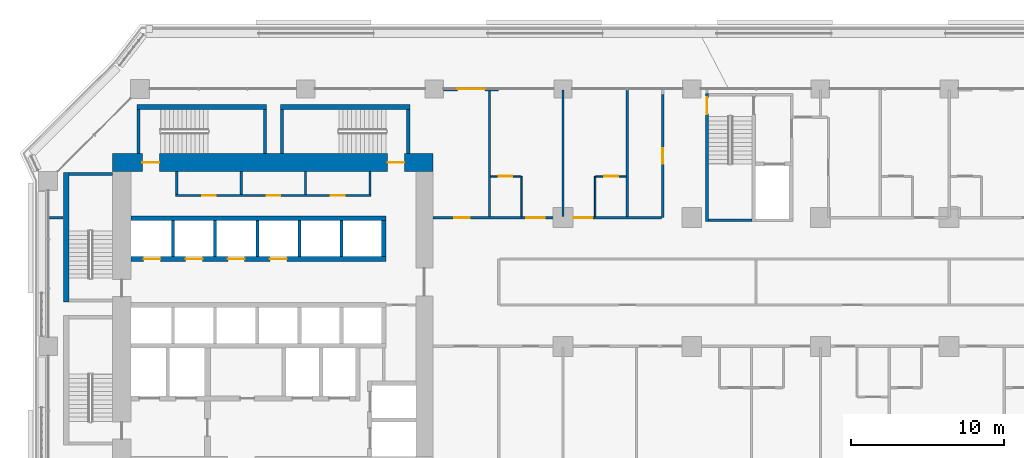
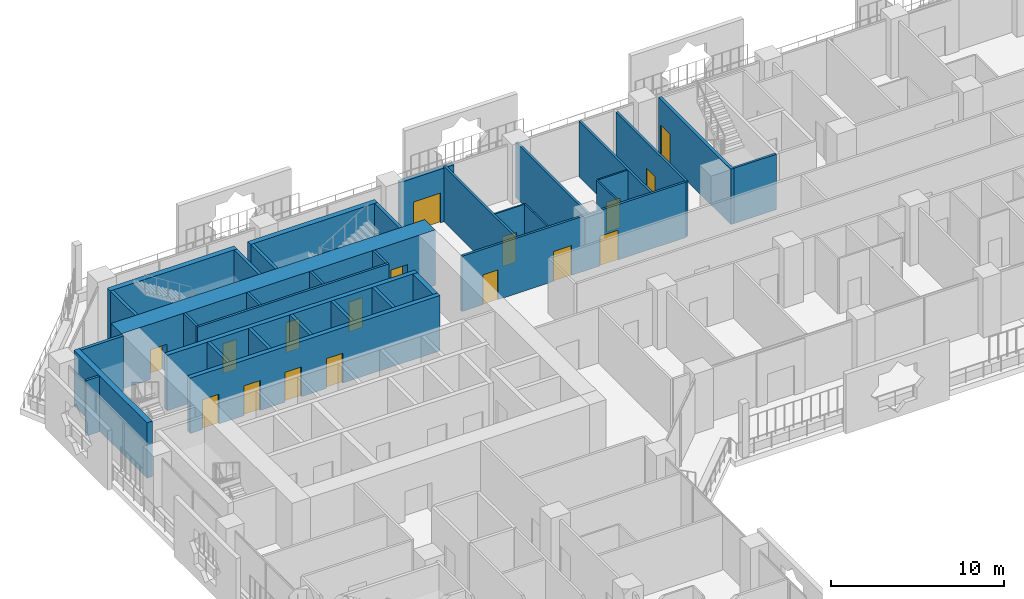
# One storey, part 18 of 28: 35 walls, 17 doors, 17 openings.
"""IFC4 building model written with IfcOpenShell, lengths in metres."""

from ifc_helpers import new_model, si_unit, direction, frame, frame_2d, origin, place, context, subcontext, project, spatial, rectangle, extrude, material, layer, layer_set, type_object, element, fill, save


model = new_model("IFC4")

# Units and contexts
model_context = context("Model", 3, precision=1e-05, world=origin(), true_north=direction((0.0, 1.0)))
body_context = subcontext(model_context, "Body", "Model", "MODEL_VIEW")
ifc_project = project(units=[si_unit("LENGTHUNIT", "METRE"), si_unit("AREAUNIT", "SQUARE_METRE"), si_unit("VOLUMEUNIT", "CUBIC_METRE"), si_unit("PLANEANGLEUNIT", "RADIAN"), si_unit("MASSUNIT", "GRAM", prefix="KILO")], contexts=[model_context])

# Site, building, storey
site_placement = place(None, origin())
site = spatial("IfcSite", under=ifc_project, at=site_placement, CompositionType="ELEMENT")
building_placement = place(site_placement, origin())
building = spatial("IfcBuilding", under=site, at=building_placement, Name="Kawkab Arch Medical Tower", CompositionType="ELEMENT")
storey_placement = place(building_placement, frame((0.0, 0.0, 81.199951171875)))
storey = spatial("IfcBuildingStorey", under=building, at=storey_placement, Name="L18", CompositionType="ELEMENT", Elevation=81.199951171875)

# Wall, openings, doors
ifc_material_1 = material(Name="Concrete C60/75", Category="concrete")
ifc_layer_1 = layer(ifc_material_1, 1.199951171875)
ifc_layer_set_1 = layer_set([ifc_layer_1], Name="Concrete C60/75")
wall_type_1 = type_object("IfcWallType", Name="Core ring wall 1200 C60/75", PredefinedType="SHEAR", material=ifc_layer_set_1)
wall_1_placement = place(storey_placement, frame((4.199951171875, -4.800048828125, 0.0), z_axis=(0.0, 0.0, 1.0), x_axis=(1.0, 0.0, 0.0)))
wall_1 = element("IfcWall", 1, at=wall_1_placement, inside=storey, type_object=wall_type_1, Name="L18 core wall", PredefinedType="SHEAR", context=body_context, shape_type="SweptSolid", body=[
    extrude(rectangle(XDim=20.900146484375, YDim=1.199951171875, at=frame_2d((10.4501953125, 0.0))), origin(), (0.0, 0.0, 1.0), 3.900146484375),
])
opening_1_placement = place(wall_1_placement, frame((1.949951171875, 0.0, 0.0)))
opening_1 = element("IfcOpeningElement", 2, at=opening_1_placement, cuts=wall_1, Name="Opening SD", PredefinedType="OPENING", context=body_context, shape_type="SweptSolid", body=[
    extrude(rectangle(XDim=1.10009765625, YDim=2.10009765625, at=frame_2d((0.550048828125, 1.050048828125))), frame((0.0, 0.60986328125, 0.0), z_axis=(0.0, -1.0, 0.0), x_axis=(1.0, 0.0, 0.0)), (0.0, 0.0, 1.0), 1.219970703125),
])
opening_2_placement = place(wall_1_placement, frame((17.949951171875, 0.0, 0.0)))
opening_2 = element("IfcOpeningElement", 3, at=opening_2_placement, cuts=wall_1, Name="Opening SD", PredefinedType="OPENING", context=body_context, shape_type="SweptSolid", body=[
    extrude(rectangle(XDim=1.10009765625, YDim=2.10009765625, at=frame_2d((0.550048828125, 1.050048828125))), frame((0.0, 0.60986328125, 0.0), z_axis=(0.0, -1.0, 0.0), x_axis=(1.0, 0.0, 0.0)), (0.0, 0.0, 1.0), 1.219970703125),
])
ifc_material_2 = material(Name="Hollow metal fire door leaf")
door_type_1 = type_object("IfcDoorType", Name="Exit stair door 1100", OperationType="SINGLE_SWING_LEFT", PredefinedType="DOOR", material=ifc_material_2)
door_1_placement = place(opening_1_placement, origin())
door_1 = element("IfcDoor", 4, at=door_1_placement, inside=storey, type_object=door_type_1, Name="L18 Exit stair ST3 door", OperationType="SINGLE_SWING_LEFT", OverallHeight=2.10009765625, OverallWidth=1.10009765625, PredefinedType="DOOR", context=body_context, shape_type="SweptSolid", body=[
    extrude(rectangle(XDim=1.10009765625, YDim=2.10009765625, at=frame_2d((0.550048828125, 1.050048828125))), frame((0.0, 0.02490234375, 0.0), z_axis=(0.0, -1.0, 0.0), x_axis=(1.0, 0.0, 0.0)), (0.0, 0.0, 1.0), 0.050048828125),
])
fill(opening_1, door_1)
door_2_placement = place(opening_2_placement, origin())
door_2 = element("IfcDoor", 5, at=door_2_placement, inside=storey, type_object=door_type_1, Name="L18 Exit stair ST4 door", OperationType="SINGLE_SWING_LEFT", OverallHeight=2.10009765625, OverallWidth=1.10009765625, PredefinedType="DOOR", context=body_context, shape_type="SweptSolid", body=[
    extrude(rectangle(XDim=1.10009765625, YDim=2.10009765625, at=frame_2d((0.550048828125, 1.050048828125))), frame((0.0, 0.02490234375, 0.0), z_axis=(0.0, -1.0, 0.0), x_axis=(1.0, 0.0, 0.0)), (0.0, 0.0, 1.0), 0.050048828125),
])
fill(opening_2, door_2)

ifc_material_3 = material(Name="Gypsum board on steel studs", Category="steel")
ifc_layer_2 = layer(ifc_material_3, 0.14990234375)
ifc_layer_set_2 = layer_set([ifc_layer_2], Name="Gypsum board on steel studs")
wall_type_2 = type_object("IfcWallType", Name="Core room partition 150", PredefinedType="PARTITIONING", material=ifc_layer_set_2)
wall_2_placement = place(storey_placement, frame((8.324951171875, -6.949951171875, 0.0), z_axis=(0.0, 0.0, 1.0), x_axis=(1.0, 0.0, 0.0)))
wall_2 = element("IfcWall", 6, at=wall_2_placement, inside=storey, type_object=wall_type_2, Name="L18 core room partition", PredefinedType="PARTITIONING", context=body_context, shape_type="SweptSolid", body=[
    extrude(rectangle(XDim=12.75, YDim=0.14990234375, at=frame_2d((6.375, 0.0))), origin(), (0.0, 0.0, 1.0), 3.900146484375),
])
opening_3_placement = place(wall_2_placement, frame((1.72509765625, 0.0, 0.0)))
opening_3 = element("IfcOpeningElement", 7, at=opening_3_placement, cuts=wall_2, Name="Opening RD", PredefinedType="OPENING", context=body_context, shape_type="SweptSolid", body=[
    extrude(rectangle(XDim=0.89990234375, YDim=2.10009765625, at=frame_2d((0.449951171875, 1.050048828125))), frame((0.0, 0.0849609375, 0.0), z_axis=(0.0, -1.0, 0.0), x_axis=(1.0, 0.0, 0.0)), (0.0, 0.0, 1.0), 0.169921875),
])
opening_4_placement = place(wall_2_placement, frame((5.925048828125, 0.0, 0.0)))
opening_4 = element("IfcOpeningElement", 8, at=opening_4_placement, cuts=wall_2, Name="Opening RD", PredefinedType="OPENING", context=body_context, shape_type="SweptSolid", body=[
    extrude(rectangle(XDim=0.89990234375, YDim=2.10009765625, at=frame_2d((0.449951171875, 1.050048828125))), frame((0.0, 0.0849609375, 0.0), z_axis=(0.0, -1.0, 0.0), x_axis=(1.0, 0.0, 0.0)), (0.0, 0.0, 1.0), 0.169921875),
])
opening_5_placement = place(wall_2_placement, frame((10.125, 0.0, 0.0)))
opening_5 = element("IfcOpeningElement", 9, at=opening_5_placement, cuts=wall_2, Name="Opening RD", PredefinedType="OPENING", context=body_context, shape_type="SweptSolid", body=[
    extrude(rectangle(XDim=0.89990234375, YDim=2.10009765625, at=frame_2d((0.449951171875, 1.050048828125))), frame((0.0, 0.0849609375, 0.0), z_axis=(0.0, -1.0, 0.0), x_axis=(1.0, 0.0, 0.0)), (0.0, 0.0, 1.0), 0.169921875),
])
ifc_material_4 = material(Name="Hollow metal fire door leaf")
door_type_2 = type_object("IfcDoorType", Name="Core room door 900", OperationType="SINGLE_SWING_LEFT", PredefinedType="DOOR", material=ifc_material_4)
door_3_placement = place(opening_3_placement, origin())
door_3 = element("IfcDoor", 10, at=door_3_placement, inside=storey, type_object=door_type_2, Name="L18 Sprinkler valve room door", OperationType="SINGLE_SWING_LEFT", OverallHeight=2.10009765625, OverallWidth=0.89990234375, PredefinedType="DOOR", context=body_context, shape_type="SweptSolid", body=[
    extrude(rectangle(XDim=0.89990234375, YDim=2.10009765625, at=frame_2d((0.449951171875, 1.050048828125))), frame((0.0, 0.02490234375, 0.0), z_axis=(0.0, -1.0, 0.0), x_axis=(1.0, 0.0, 0.0)), (0.0, 0.0, 1.0), 0.050048828125),
])
fill(opening_3, door_3)
door_4_placement = place(opening_4_placement, origin())
door_4 = element("IfcDoor", 11, at=door_4_placement, inside=storey, type_object=door_type_2, Name="L18 Data room door", OperationType="SINGLE_SWING_LEFT", OverallHeight=2.10009765625, OverallWidth=0.89990234375, PredefinedType="DOOR", context=body_context, shape_type="SweptSolid", body=[
    extrude(rectangle(XDim=0.89990234375, YDim=2.10009765625, at=frame_2d((0.449951171875, 1.050048828125))), frame((0.0, 0.02490234375, 0.0), z_axis=(0.0, -1.0, 0.0), x_axis=(1.0, 0.0, 0.0)), (0.0, 0.0, 1.0), 0.050048828125),
])
fill(opening_4, door_4)
door_5_placement = place(opening_5_placement, origin())
door_5 = element("IfcDoor", 12, at=door_5_placement, inside=storey, type_object=door_type_2, Name="L18 Electrical riser room door", OperationType="SINGLE_SWING_LEFT", OverallHeight=2.10009765625, OverallWidth=0.89990234375, PredefinedType="DOOR", context=body_context, shape_type="SweptSolid", body=[
    extrude(rectangle(XDim=0.89990234375, YDim=2.10009765625, at=frame_2d((0.449951171875, 1.050048828125))), frame((0.0, 0.02490234375, 0.0), z_axis=(0.0, -1.0, 0.0), x_axis=(1.0, 0.0, 0.0)), (0.0, 0.0, 1.0), 0.050048828125),
])
fill(opening_5, door_5)

# Walls
for number, where, z_axis, x_axis, name in (
    (13, (8.39990234375, -6.875, 0.0), (0.0, 0.0, 1.0), (0.0, 1.0, 0.0), "L18 core room partition"),
    (14, (12.60009765625, -6.875, 0.0), (0.0, 0.0, 1.0), (0.0, 1.0, 0.0), "L18 core room partition"),
    (15, (16.800048828125, -6.875, 0.0), (0.0, 0.0, 1.0), (0.0, 1.0, 0.0), "L18 core room partition"),
    (16, (21.0, -6.875, 0.0), (0.0, 0.0, 1.0), (0.0, 1.0, 0.0), "L18 core room partition"),
):
    element("IfcWall", number, at=place(storey_placement, frame(where, z_axis=z_axis, x_axis=x_axis)), inside=storey, type_object=wall_type_2, Name=name, PredefinedType="PARTITIONING", context=body_context, shape_type="SweptSolid", body=[
        extrude(rectangle(XDim=1.47509765625, YDim=0.14990234375, at=frame_2d((0.737548828125, 0.0))), origin(), (0.0, 0.0, 1.0), 3.900146484375),
    ])
ifc_material_5 = material(Name="Concrete C60/75", Category="concrete")
ifc_layer_3 = layer(ifc_material_5, 0.300048828125)
ifc_layer_set_3 = layer_set([ifc_layer_3], Name="Concrete C60/75")
wall_type_3 = type_object("IfcWallType", Name="Core shear wall 300 C60/75", PredefinedType="SHEAR", material=ifc_layer_set_3)
wall_3_placement = place(storey_placement, frame((5.39990234375, -8.449951171875, 0.0), z_axis=(0.0, 0.0, 1.0), x_axis=(1.0, 0.0, 0.0)))
element("IfcWall", 17, at=wall_3_placement, inside=storey, type_object=wall_type_3, Name="L18 core shear wall", PredefinedType="SHEAR", context=body_context, shape_type="SweptSolid", body=[
    extrude(rectangle(XDim=16.650146484375, YDim=0.300048828125, at=frame_2d((8.3251953125, 0.0))), origin(), (0.0, 0.0, 1.0), 3.900146484375),
])

# Wall, openings, doors
wall_4_placement = place(storey_placement, frame((5.39990234375, -11.10009765625, 0.0), z_axis=(0.0, 0.0, 1.0), x_axis=(1.0, 0.0, 0.0)))
wall_4 = element("IfcWall", 18, at=wall_4_placement, inside=storey, type_object=wall_type_3, Name="L18 core shear wall", PredefinedType="SHEAR", context=body_context, shape_type="SweptSolid", body=[
    extrude(rectangle(XDim=16.650146484375, YDim=0.300048828125, at=frame_2d((8.3251953125, 0.0))), origin(), (0.0, 0.0, 1.0), 3.900146484375),
])
opening_6_placement = place(wall_4_placement, frame((0.824951171875, 0.0, 0.0)))
opening_6 = element("IfcOpeningElement", 19, at=opening_6_placement, cuts=wall_4, Name="Opening LD1", PredefinedType="OPENING", context=body_context, shape_type="SweptSolid", body=[
    extrude(rectangle(XDim=1.10009765625, YDim=2.10009765625, at=frame_2d((0.550048828125, 1.050048828125))), frame((0.0, 0.159912109375, 0.0), z_axis=(0.0, -1.0, 0.0), x_axis=(1.0, 0.0, 0.0)), (0.0, 0.0, 1.0), 0.320068359375),
])
opening_7_placement = place(wall_4_placement, frame((3.574951171875, 0.0, 0.0)))
opening_7 = element("IfcOpeningElement", 20, at=opening_7_placement, cuts=wall_4, Name="Opening LD1", PredefinedType="OPENING", context=body_context, shape_type="SweptSolid", body=[
    extrude(rectangle(XDim=1.10009765625, YDim=2.10009765625, at=frame_2d((0.550048828125, 1.050048828125))), frame((0.0, 0.159912109375, 0.0), z_axis=(0.0, -1.0, 0.0), x_axis=(1.0, 0.0, 0.0)), (0.0, 0.0, 1.0), 0.320068359375),
])
opening_8_placement = place(wall_4_placement, frame((6.324951171875, 0.0, 0.0)))
opening_8 = element("IfcOpeningElement", 21, at=opening_8_placement, cuts=wall_4, Name="Opening LD1", PredefinedType="OPENING", context=body_context, shape_type="SweptSolid", body=[
    extrude(rectangle(XDim=1.10009765625, YDim=2.10009765625, at=frame_2d((0.550048828125, 1.050048828125))), frame((0.0, 0.159912109375, 0.0), z_axis=(0.0, -1.0, 0.0), x_axis=(1.0, 0.0, 0.0)), (0.0, 0.0, 1.0), 0.320068359375),
])
opening_9_placement = place(wall_4_placement, frame((9.074951171875, 0.0, 0.0)))
opening_9 = element("IfcOpeningElement", 22, at=opening_9_placement, cuts=wall_4, Name="Opening LD1", PredefinedType="OPENING", context=body_context, shape_type="SweptSolid", body=[
    extrude(rectangle(XDim=1.10009765625, YDim=2.10009765625, at=frame_2d((0.550048828125, 1.050048828125))), frame((0.0, 0.159912109375, 0.0), z_axis=(0.0, -1.0, 0.0), x_axis=(1.0, 0.0, 0.0)), (0.0, 0.0, 1.0), 0.320068359375),
])
ifc_material_6 = material(Name="Stainless steel lift door leaf", Category="steel")
door_type_3 = type_object("IfcDoorType", Name="Lift landing door 1100", OperationType="DOUBLE_DOOR_SLIDING", PredefinedType="DOOR", material=ifc_material_6)
door_6_placement = place(opening_6_placement, origin())
door_6 = element("IfcDoor", 23, at=door_6_placement, inside=storey, type_object=door_type_3, Name="L18 Lift landing door LP1", OperationType="DOUBLE_DOOR_SLIDING", OverallHeight=2.10009765625, OverallWidth=1.10009765625, PredefinedType="DOOR", context=body_context, shape_type="SweptSolid", body=[
    extrude(rectangle(XDim=1.10009765625, YDim=2.10009765625, at=frame_2d((0.550048828125, 1.050048828125))), frame((0.0, 0.02490234375, 0.0), z_axis=(0.0, -1.0, 0.0), x_axis=(1.0, 0.0, 0.0)), (0.0, 0.0, 1.0), 0.050048828125),
])
fill(opening_6, door_6)
door_7_placement = place(opening_7_placement, origin())
door_7 = element("IfcDoor", 24, at=door_7_placement, inside=storey, type_object=door_type_3, Name="L18 Lift landing door LP2", OperationType="DOUBLE_DOOR_SLIDING", OverallHeight=2.10009765625, OverallWidth=1.10009765625, PredefinedType="DOOR", context=body_context, shape_type="SweptSolid", body=[
    extrude(rectangle(XDim=1.10009765625, YDim=2.10009765625, at=frame_2d((0.550048828125, 1.050048828125))), frame((0.0, 0.02490234375, 0.0), z_axis=(0.0, -1.0, 0.0), x_axis=(1.0, 0.0, 0.0)), (0.0, 0.0, 1.0), 0.050048828125),
])
fill(opening_7, door_7)
door_8_placement = place(opening_8_placement, origin())
door_8 = element("IfcDoor", 25, at=door_8_placement, inside=storey, type_object=door_type_3, Name="L18 Lift landing door LP3", OperationType="DOUBLE_DOOR_SLIDING", OverallHeight=2.10009765625, OverallWidth=1.10009765625, PredefinedType="DOOR", context=body_context, shape_type="SweptSolid", body=[
    extrude(rectangle(XDim=1.10009765625, YDim=2.10009765625, at=frame_2d((0.550048828125, 1.050048828125))), frame((0.0, 0.02490234375, 0.0), z_axis=(0.0, -1.0, 0.0), x_axis=(1.0, 0.0, 0.0)), (0.0, 0.0, 1.0), 0.050048828125),
])
fill(opening_8, door_8)
door_9_placement = place(opening_9_placement, origin())
door_9 = element("IfcDoor", 26, at=door_9_placement, inside=storey, type_object=door_type_3, Name="L18 Lift landing door LP4", OperationType="DOUBLE_DOOR_SLIDING", OverallHeight=2.10009765625, OverallWidth=1.10009765625, PredefinedType="DOOR", context=body_context, shape_type="SweptSolid", body=[
    extrude(rectangle(XDim=1.10009765625, YDim=2.10009765625, at=frame_2d((0.550048828125, 1.050048828125))), frame((0.0, 0.02490234375, 0.0), z_axis=(0.0, -1.0, 0.0), x_axis=(1.0, 0.0, 0.0)), (0.0, 0.0, 1.0), 0.050048828125),
])
fill(opening_9, door_9)

# Wall
wall_5_placement = place(storey_placement, frame((21.89990234375, -10.949951171875, 0.0), z_axis=(0.0, 0.0, 1.0), x_axis=(0.0, 1.0, 0.0)))
element("IfcWall", 27, at=wall_5_placement, inside=storey, type_object=wall_type_3, Name="L18 core shear wall", PredefinedType="SHEAR", context=body_context, shape_type="SweptSolid", body=[
    extrude(rectangle(XDim=2.349853515625, YDim=0.300048828125, at=frame_2d((1.1748046875, 0.0))), origin(), (0.0, 0.0, 1.0), 3.900146484375),
])

# Wall, opening, door
ifc_material_7 = material(Name="Bronze clad insulated wall panel")
ifc_layer_4 = layer(ifc_material_7, 0.25)
ifc_layer_set_4 = layer_set([ifc_layer_4], Name="Bronze clad insulated wall panel")
wall_type_4 = type_object("IfcWallType", Name="External wall bay 250", PredefinedType="SOLIDWALL", material=ifc_layer_set_4)
wall_6_placement = place(storey_placement, frame((29.39990234375, 0.0, 0.0), z_axis=(0.0, 0.0, 1.0), x_axis=(-1.0, 0.0, 0.0)))
wall_6 = element("IfcWall", 28, at=wall_6_placement, inside=storey, type_object=wall_type_4, Name="External wall bay L18.R11.6.2", PredefinedType="SOLIDWALL", context=body_context, shape_type="SweptSolid", body=[
    extrude(rectangle(XDim=3.599853515625, YDim=0.25, at=frame_2d((1.7998046875, 0.0))), origin(), (0.0, 0.0, 1.0), 3.780029296875),
])
opening_10_placement = place(wall_6_placement, frame((0.89990234375, 0.0, 0.0)))
opening_10 = element("IfcOpeningElement", 29, at=opening_10_placement, cuts=wall_6, Name="Opening W18-702", PredefinedType="OPENING", context=body_context, shape_type="SweptSolid", body=[
    extrude(rectangle(XDim=1.800048828125, YDim=2.10009765625, at=frame_2d((0.89990234375, 1.050048828125))), frame((0.0, 0.135009765625, 0.0), z_axis=(0.0, -1.0, 0.0), x_axis=(1.0, 0.0, 0.0)), (0.0, 0.0, 1.0), 0.27001953125),
])
ifc_material_8 = material(Name="Bronze anodised aluminium door with tinted glass", Category="aluminium")
door_type_4 = type_object("IfcDoorType", Name="Double external door 1800 x 2100", OperationType="DOUBLE_DOOR_SINGLE_SWING", PredefinedType="DOOR", material=ifc_material_8)
door_10_placement = place(opening_10_placement, origin())
door_10 = element("IfcDoor", 30, at=door_10_placement, inside=storey, type_object=door_type_4, Name="External door L18.R11.6.2", OperationType="DOUBLE_DOOR_SINGLE_SWING", OverallHeight=2.10009765625, OverallWidth=1.800048828125, PredefinedType="DOOR", context=body_context, shape_type="SweptSolid", body=[
    extrude(rectangle(XDim=1.800048828125, YDim=2.10009765625, at=frame_2d((0.89990234375, 1.050048828125))), frame((0.0, 0.02490234375, 0.0), z_axis=(0.0, -1.0, 0.0), x_axis=(1.0, 0.0, 0.0)), (0.0, 0.0, 1.0), 0.050048828125),
])
fill(opening_10, door_10)

# Walls
ifc_material_9 = material(Name="Dense concrete blockwork", Category="masonry")
ifc_layer_5 = layer(ifc_material_9, 0.199951171875)
ifc_layer_set_5 = layer_set([ifc_layer_5], Name="Dense concrete blockwork")
wall_type_5 = type_object("IfcWallType", Name="Lift shaft partition 200", PredefinedType="PARTITIONING", material=ifc_layer_set_5)
for number, where, z_axis, x_axis, name in (
    (31, (8.14990234375, -10.949951171875, 0.0), (0.0, 0.0, 1.0), (0.0, 1.0, 0.0), "L18 lift shaft partition"),
    (32, (10.89990234375, -10.949951171875, 0.0), (0.0, 0.0, 1.0), (0.0, 1.0, 0.0), "L18 lift shaft partition"),
    (33, (13.64990234375, -10.949951171875, 0.0), (0.0, 0.0, 1.0), (0.0, 1.0, 0.0), "L18 lift shaft partition"),
    (34, (16.39990234375, -10.949951171875, 0.0), (0.0, 0.0, 1.0), (0.0, 1.0, 0.0), "L18 lift shaft partition"),
    (35, (19.14990234375, -10.949951171875, 0.0), (0.0, 0.0, 1.0), (0.0, 1.0, 0.0), "L18 lift shaft partition"),
):
    element("IfcWall", number, at=place(storey_placement, frame(where, z_axis=z_axis, x_axis=x_axis)), inside=storey, type_object=wall_type_5, Name=name, PredefinedType="PARTITIONING", context=body_context, shape_type="SweptSolid", body=[
        extrude(rectangle(XDim=2.349853515625, YDim=0.199951171875, at=frame_2d((1.1748046875, 0.0))), origin(), (0.0, 0.0, 1.0), 3.900146484375),
    ])

# Wall, opening, door
ifc_material_10 = material(Name="Gypsum board partition on steel studs", Category="steel")
ifc_layer_6 = layer(ifc_material_10, 0.10009765625)
ifc_layer_set_6 = layer_set([ifc_layer_6], Name="Gypsum board partition on steel studs")
wall_type_6 = type_object("IfcWallType", Name="Partition 100", PredefinedType="PARTITIONING", material=ifc_layer_set_6)
wall_7_placement = place(storey_placement, frame((28.875, -5.699951171875, 0.0), z_axis=(0.0, 0.0, 1.0), x_axis=(1.0, 0.0, 0.0)))
wall_7 = element("IfcWall", 36, at=wall_7_placement, inside=storey, type_object=wall_type_6, Name="Partition 100 w015", PredefinedType="PARTITIONING", context=body_context, shape_type="SweptSolid", body=[
    extrude(rectangle(XDim=1.97509765625, YDim=0.10009765625, at=frame_2d((0.987548828125, 0.0))), origin(), (0.0, 0.0, 1.0), 3.900146484375),
])
opening_11_placement = place(wall_7_placement, frame((0.52490234375, 0.0, 0.0)))
opening_11 = element("IfcOpeningElement", 37, at=opening_11_placement, cuts=wall_7, Name="Opening W18-003", PredefinedType="OPENING", context=body_context, shape_type="SweptSolid", body=[
    extrude(rectangle(XDim=0.89990234375, YDim=2.10009765625, at=frame_2d((0.449951171875, 1.050048828125))), frame((0.0, 0.06005859375, 0.0), z_axis=(0.0, -1.0, 0.0), x_axis=(1.0, 0.0, 0.0)), (0.0, 0.0, 1.0), 0.1201171875),
])
ifc_material_11 = material(Name="Timber door leaf", Category="wood")
door_type_5 = type_object("IfcDoorType", Name="Single door 900x2100", OperationType="NOTDEFINED", PredefinedType="DOOR", material=ifc_material_11)
door_11_placement = place(opening_11_placement, origin())
door_11 = element("IfcDoor", 38, at=door_11_placement, inside=storey, type_object=door_type_5, Name="Door W18-003", OperationType="SINGLE_SWING_LEFT", OverallHeight=2.10009765625, OverallWidth=0.89990234375, PredefinedType="DOOR", context=body_context, shape_type="SweptSolid", body=[
    extrude(rectangle(XDim=0.89990234375, YDim=2.10009765625, at=frame_2d((0.449951171875, 1.050048828125))), frame((0.0, 0.02490234375, 0.0), z_axis=(0.0, -1.0, 0.0), x_axis=(1.0, 0.0, 0.0)), (0.0, 0.0, 1.0), 0.050048828125),
])
fill(opening_11, door_11)

wall_8_placement = place(storey_placement, frame((35.75, -5.699951171875, 0.0), z_axis=(0.0, 0.0, 1.0), x_axis=(1.0, 0.0, 0.0)))
wall_8 = element("IfcWall", 39, at=wall_8_placement, inside=storey, type_object=wall_type_6, Name="Partition 100 w016", PredefinedType="PARTITIONING", context=body_context, shape_type="SweptSolid", body=[
    extrude(rectangle(XDim=1.97509765625, YDim=0.10009765625, at=frame_2d((0.987548828125, 0.0))), origin(), (0.0, 0.0, 1.0), 3.900146484375),
])
opening_12_placement = place(wall_8_placement, frame((0.550048828125, 0.0, 0.0)))
opening_12 = element("IfcOpeningElement", 40, at=opening_12_placement, cuts=wall_8, Name="Opening W18-004", PredefinedType="OPENING", context=body_context, shape_type="SweptSolid", body=[
    extrude(rectangle(XDim=0.89990234375, YDim=2.10009765625, at=frame_2d((0.449951171875, 1.050048828125))), frame((0.0, 0.06005859375, 0.0), z_axis=(0.0, -1.0, 0.0), x_axis=(1.0, 0.0, 0.0)), (0.0, 0.0, 1.0), 0.1201171875),
])
door_12_placement = place(opening_12_placement, origin())
door_12 = element("IfcDoor", 41, at=door_12_placement, inside=storey, type_object=door_type_5, Name="Door W18-004", OperationType="SINGLE_SWING_LEFT", OverallHeight=2.10009765625, OverallWidth=0.89990234375, PredefinedType="DOOR", context=body_context, shape_type="SweptSolid", body=[
    extrude(rectangle(XDim=0.89990234375, YDim=2.10009765625, at=frame_2d((0.449951171875, 1.050048828125))), frame((0.0, 0.02490234375, 0.0), z_axis=(0.0, -1.0, 0.0), x_axis=(1.0, 0.0, 0.0)), (0.0, 0.0, 1.0), 0.050048828125),
])
fill(opening_12, door_12)

# Walls
for number, where, z_axis, x_axis, name in (
    (42, (30.89990234375, -8.324951171875, 0.0), (0.0, 0.0, 1.0), (0.0, 1.0, 0.0), "Partition 100 w028"),
    (43, (35.699951171875, -8.324951171875, 0.0), (0.0, 0.0, 1.0), (0.0, 1.0, 0.0), "Partition 100 w029"),
):
    element("IfcWall", number, at=place(storey_placement, frame(where, z_axis=z_axis, x_axis=x_axis)), inside=storey, type_object=wall_type_6, Name=name, PredefinedType="PARTITIONING", context=body_context, shape_type="SweptSolid", body=[
        extrude(rectangle(XDim=2.625, YDim=0.10009765625, at=frame_2d((1.3125, 0.0))), origin(), (0.0, 0.0, 1.0), 3.900146484375),
    ])
ifc_material_12 = material(Name="Gypsum board partition on steel studs, mineral wool", Category="steel")
ifc_layer_7 = layer(ifc_material_12, 0.14990234375)
ifc_layer_set_7 = layer_set([ifc_layer_7], Name="Gypsum board partition on steel studs, mineral wool")
wall_type_7 = type_object("IfcWallType", Name="Partition 150", PredefinedType="PARTITIONING", material=ifc_layer_set_7)
wall_9_placement = place(storey_placement, frame((0.080078125, -8.39990234375, 0.0), z_axis=(0.0, 0.0, 1.0), x_axis=(1.0, 0.0, 0.0)))
element("IfcWall", 44, at=wall_9_placement, inside=storey, type_object=wall_type_7, Name="Partition 150 w063", PredefinedType="PARTITIONING", context=body_context, shape_type="SweptSolid", body=[
    extrude(rectangle(XDim=0.889892578125, YDim=0.14990234375, at=frame_2d((0.44482421875, 0.0))), origin(), (0.0, 0.0, 1.0), 3.900146484375),
])

# Wall, openings, doors
wall_10_placement = place(storey_placement, frame((25.10009765625, -8.39990234375, 0.0), z_axis=(0.0, 0.0, 1.0), x_axis=(1.0, 0.0, 0.0)))
wall_10 = element("IfcWall", 45, at=wall_10_placement, inside=storey, type_object=wall_type_7, Name="Partition 150 w064", PredefinedType="PARTITIONING", context=body_context, shape_type="SweptSolid", body=[
    extrude(rectangle(XDim=14.931884765625, YDim=0.14990234375, at=frame_2d((7.4658203125, 0.0))), origin(), (0.0, 0.0, 1.0), 3.900146484375),
])
opening_13_placement = place(wall_10_placement, frame((1.39990234375, 0.0, 0.0)))
opening_13 = element("IfcOpeningElement", 46, at=opening_13_placement, cuts=wall_10, Name="Opening W18-027", PredefinedType="OPENING", context=body_context, shape_type="SweptSolid", body=[
    extrude(rectangle(XDim=1.0, YDim=2.10009765625, at=frame_2d((0.5, 1.050048828125))), frame((0.0, 0.0849609375, 0.0), z_axis=(0.0, -1.0, 0.0), x_axis=(1.0, 0.0, 0.0)), (0.0, 0.0, 1.0), 0.169921875),
])
opening_14_placement = place(wall_10_placement, frame((6.10009765625, 0.0, 0.0)))
opening_14 = element("IfcOpeningElement", 47, at=opening_14_placement, cuts=wall_10, Name="Opening W18-045", PredefinedType="OPENING", context=body_context, shape_type="SweptSolid", body=[
    extrude(rectangle(XDim=1.199951171875, YDim=2.10009765625, at=frame_2d((0.60009765625, 1.050048828125))), frame((0.0, 0.0849609375, 0.0), z_axis=(0.0, -1.0, 0.0), x_axis=(1.0, 0.0, 0.0)), (0.0, 0.0, 1.0), 0.169921875),
])
opening_15_placement = place(wall_10_placement, frame((9.199951171875, 0.0, 0.0)))
opening_15 = element("IfcOpeningElement", 48, at=opening_15_placement, cuts=wall_10, Name="Opening W18-046", PredefinedType="OPENING", context=body_context, shape_type="SweptSolid", body=[
    extrude(rectangle(XDim=1.199951171875, YDim=2.10009765625, at=frame_2d((0.60009765625, 1.050048828125))), frame((0.0, 0.0849609375, 0.0), z_axis=(0.0, -1.0, 0.0), x_axis=(1.0, 0.0, 0.0)), (0.0, 0.0, 1.0), 0.169921875),
])
ifc_material_13 = material(Name="Hollow metal door leaf")
door_type_6 = type_object("IfcDoorType", Name="Single door 1000x2100 FD30S", OperationType="NOTDEFINED", PredefinedType="DOOR", material=ifc_material_13)
door_13_placement = place(opening_13_placement, origin())
door_13 = element("IfcDoor", 49, at=door_13_placement, inside=storey, type_object=door_type_6, Name="Door W18-027", OperationType="SINGLE_SWING_LEFT", OverallHeight=2.10009765625, OverallWidth=1.0, PredefinedType="DOOR", context=body_context, shape_type="SweptSolid", body=[
    extrude(rectangle(XDim=1.0, YDim=2.10009765625, at=frame_2d((0.5, 1.050048828125))), frame((0.0, 0.02490234375, 0.0), z_axis=(0.0, -1.0, 0.0), x_axis=(1.0, 0.0, 0.0)), (0.0, 0.0, 1.0), 0.050048828125),
])
fill(opening_13, door_13)
ifc_material_14 = material(Name="Hollow metal door leaf")
door_type_7 = type_object("IfcDoorType", Name="Single door 1200x2100 FD30S", OperationType="NOTDEFINED", PredefinedType="DOOR", material=ifc_material_14)
door_14_placement = place(opening_14_placement, origin())
door_14 = element("IfcDoor", 50, at=door_14_placement, inside=storey, type_object=door_type_7, Name="Door W18-045", OperationType="SINGLE_SWING_LEFT", OverallHeight=2.10009765625, OverallWidth=1.199951171875, PredefinedType="DOOR", context=body_context, shape_type="SweptSolid", body=[
    extrude(rectangle(XDim=1.199951171875, YDim=2.10009765625, at=frame_2d((0.60009765625, 1.050048828125))), frame((0.0, 0.02490234375, 0.0), z_axis=(0.0, -1.0, 0.0), x_axis=(1.0, 0.0, 0.0)), (0.0, 0.0, 1.0), 0.050048828125),
])
fill(opening_14, door_14)
door_15_placement = place(opening_15_placement, origin())
door_15 = element("IfcDoor", 51, at=door_15_placement, inside=storey, type_object=door_type_7, Name="Door W18-046", OperationType="SINGLE_SWING_RIGHT", OverallHeight=2.10009765625, OverallWidth=1.199951171875, PredefinedType="DOOR", context=body_context, shape_type="SweptSolid", body=[
    extrude(rectangle(XDim=1.199951171875, YDim=2.10009765625, at=frame_2d((0.60009765625, 1.050048828125))), frame((0.0, 0.02490234375, 0.0), z_axis=(0.0, -1.0, 0.0), x_axis=(1.0, 0.0, 0.0)), (0.0, 0.0, 1.0), 0.050048828125),
])
fill(opening_15, door_15)

# Walls
for number, where, z_axis, x_axis, name in (
    (52, (28.800048828125, -8.324951171875, 0.0), (0.0, 0.0, 1.0), (0.0, 1.0, 0.0), "Partition 150 w078"),
    (53, (33.60009765625, -8.324951171875, 0.0), (0.0, 0.0, 1.0), (0.0, 1.0, 0.0), "Partition 150 w082"),
    (54, (37.800048828125, -8.324951171875, 0.0), (0.0, 0.0, 1.0), (0.0, 1.0, 0.0), "Partition 150 w083"),
):
    element("IfcWall", number, at=place(storey_placement, frame(where, z_axis=z_axis, x_axis=x_axis)), inside=storey, type_object=wall_type_7, Name=name, PredefinedType="PARTITIONING", context=body_context, shape_type="SweptSolid", body=[
        extrude(rectangle(XDim=8.244873046875, YDim=0.14990234375, at=frame_2d((4.12255859375, 0.0))), origin(), (0.0, 0.0, 1.0), 3.900146484375),
    ])

# Wall, opening, door
wall_11_placement = place(storey_placement, frame((40.10693359375, -8.39990234375, 0.0), z_axis=(0.0, 0.0, 1.0), x_axis=(0.0, 1.0, 0.0)))
wall_11 = element("IfcWall", 55, at=wall_11_placement, inside=storey, type_object=wall_type_7, Name="Partition 150 w085", PredefinedType="PARTITIONING", context=body_context, shape_type="SweptSolid", body=[
    extrude(rectangle(XDim=8.0478515625, YDim=0.14990234375, at=frame_2d((4.02392578125, 0.0))), origin(), (0.0, 0.0, 1.0), 3.900146484375),
])
opening_16_placement = place(wall_11_placement, frame((3.52392578125, 0.0, 0.0)))
opening_16 = element("IfcOpeningElement", 56, at=opening_16_placement, cuts=wall_11, Name="Opening W18-028", PredefinedType="OPENING", context=body_context, shape_type="SweptSolid", body=[
    extrude(rectangle(XDim=1.0, YDim=2.10009765625, at=frame_2d((0.5, 1.050048828125))), frame((0.0, 0.0849609375, 0.0), z_axis=(0.0, -1.0, 0.0), x_axis=(1.0, 0.0, 0.0)), (0.0, 0.0, 1.0), 0.169921875),
])
door_16_placement = place(opening_16_placement, origin())
door_16 = element("IfcDoor", 57, at=door_16_placement, inside=storey, type_object=door_type_6, Name="Door W18-028", OperationType="SINGLE_SWING_RIGHT", OverallHeight=2.10009765625, OverallWidth=1.0, PredefinedType="DOOR", context=body_context, shape_type="SweptSolid", body=[
    extrude(rectangle(XDim=1.0, YDim=2.10009765625, at=frame_2d((0.5, 1.050048828125))), frame((0.0, 0.02490234375, 0.0), z_axis=(0.0, -1.0, 0.0), x_axis=(1.0, 0.0, 0.0)), (0.0, 0.0, 1.0), 0.050048828125),
])
fill(opening_16, door_16)

# Walls
ifc_material_15 = material(Name="Concrete C50/60", Category="concrete")
ifc_layer_8 = layer(ifc_material_15, 0.14990234375)
ifc_layer_set_8 = layer_set([ifc_layer_8], Name="Concrete C50/60")
wall_type_8 = type_object("IfcWallType", Name="Stair enclosure wall 150 C50/60", PredefinedType="SHEAR", material=ifc_layer_set_8)
wall_12_placement = place(storey_placement, frame((43.10009765625, -8.574951171875, 0.0), z_axis=(0.0, 0.0, 1.0), x_axis=(1.0, 0.0, 0.0)))
element("IfcWall", 58, at=wall_12_placement, inside=storey, type_object=wall_type_8, Name="L18 stair enclosure wall", PredefinedType="SHEAR", context=body_context, shape_type="SweptSolid", body=[
    extrude(rectangle(XDim=2.849853515625, YDim=0.14990234375, at=frame_2d((1.4248046875, 0.0))), origin(), (0.0, 0.0, 1.0), 3.900146484375),
])
ifc_material_16 = material(Name="Concrete C50/60", Category="concrete")
ifc_layer_9 = layer(ifc_material_16, 0.199951171875)
ifc_layer_set_9 = layer_set([ifc_layer_9], Name="Concrete C50/60")
wall_type_9 = type_object("IfcWallType", Name="Stair enclosure wall 200 C50/60", PredefinedType="SHEAR", material=ifc_layer_set_9)
for number, where, z_axis, x_axis, name in (
    (59, (1.35009765625, -5.550048828125, 0.0), (0.0, 0.0, 1.0), (1.0, 0.0, 0.0), "L18 stair enclosure wall"),
    (60, (5.89990234375, -4.199951171875, 0.0), (0.0, 0.0, 1.0), (0.0, 1.0, 0.0), "L18 stair enclosure wall"),
    (61, (14.14990234375, -4.199951171875, 0.0), (0.0, 0.0, 1.0), (0.0, 1.0, 0.0), "L18 stair enclosure wall"),
    (62, (15.25, -4.199951171875, 0.0), (0.0, 0.0, 1.0), (0.0, 1.0, 0.0), "L18 stair enclosure wall"),
    (63, (23.5, -4.199951171875, 0.0), (0.0, 0.0, 1.0), (0.0, 1.0, 0.0), "L18 stair enclosure wall"),
):
    element("IfcWall", number, at=place(storey_placement, frame(where, z_axis=z_axis, x_axis=x_axis)), inside=storey, type_object=wall_type_9, Name=name, PredefinedType="SHEAR", context=body_context, shape_type="SweptSolid", body=[
        extrude(rectangle(XDim=2.849853515625, YDim=0.199951171875, at=frame_2d((1.4248046875, 0.0))), origin(), (0.0, 0.0, 1.0), 3.900146484375),
    ])

# Wall, opening, door
wall_13_placement = place(storey_placement, frame((43.0, -8.64990234375, 0.0), z_axis=(0.0, 0.0, 1.0), x_axis=(0.0, 1.0, 0.0)))
wall_13 = element("IfcWall", 64, at=wall_13_placement, inside=storey, type_object=wall_type_9, Name="L18 stair enclosure wall", PredefinedType="SHEAR", context=body_context, shape_type="SweptSolid", body=[
    extrude(rectangle(XDim=8.349853515625, YDim=0.199951171875, at=frame_2d((4.1748046875, 0.0))), origin(), (0.0, 0.0, 1.0), 3.900146484375),
])
opening_17_placement = place(wall_13_placement, frame((7.0, 0.0, 0.0)))
opening_17 = element("IfcOpeningElement", 65, at=opening_17_placement, cuts=wall_13, Name="Opening SD", PredefinedType="OPENING", context=body_context, shape_type="SweptSolid", body=[
    extrude(rectangle(XDim=1.10009765625, YDim=2.10009765625, at=frame_2d((0.550048828125, 1.050048828125))), frame((0.0, 0.10986328125, 0.0), z_axis=(0.0, -1.0, 0.0), x_axis=(1.0, 0.0, 0.0)), (0.0, 0.0, 1.0), 0.219970703125),
])
door_17_placement = place(opening_17_placement, frame((1.10009765625, 0.0, 0.0), z_axis=(0.0, 0.0, 1.0), x_axis=(-1.0, 0.0, 0.0)))
door_17 = element("IfcDoor", 66, at=door_17_placement, inside=storey, type_object=door_type_1, Name="L18 Exit stair ST5 door", OperationType="SINGLE_SWING_LEFT", OverallHeight=2.10009765625, OverallWidth=1.10009765625, PredefinedType="DOOR", context=body_context, shape_type="SweptSolid", body=[
    extrude(rectangle(XDim=1.10009765625, YDim=2.10009765625, at=frame_2d((0.550048828125, 1.050048828125))), frame((0.0, 0.02490234375, 0.0), z_axis=(0.0, -1.0, 0.0), x_axis=(1.0, 0.0, 0.0)), (0.0, 0.0, 1.0), 0.050048828125),
])
fill(opening_17, door_17)

# Walls
ifc_material_17 = material(Name="Concrete C50/60", Category="concrete")
ifc_layer_10 = layer(ifc_material_17, 0.35009765625)
ifc_layer_set_10 = layer_set([ifc_layer_10], Name="Concrete C50/60")
wall_type_10 = type_object("IfcWallType", Name="Stair enclosure wall 350 C50/60", PredefinedType="SHEAR", material=ifc_layer_set_10)
for number, where, z_axis, x_axis, name in (
    (67, (1.175048828125, -13.89990234375, 0.0), (0.0, 0.0, 1.0), (0.0, 1.0, 0.0), "L18 stair enclosure wall"),
    (68, (5.800048828125, -1.175048828125, 0.0), (0.0, 0.0, 1.0), (1.0, 0.0, 0.0), "L18 stair enclosure wall"),
):
    element("IfcWall", number, at=place(storey_placement, frame(where, z_axis=z_axis, x_axis=x_axis)), inside=storey, type_object=wall_type_10, Name=name, PredefinedType="SHEAR", context=body_context, shape_type="SweptSolid", body=[
        extrude(rectangle(XDim=8.449951171875, YDim=0.35009765625, at=frame_2d((4.22509765625, 0.0))), origin(), (0.0, 0.0, 1.0), 3.900146484375),
    ])
wall_14_placement = place(storey_placement, frame((15.14990234375, -1.175048828125, 0.0), z_axis=(0.0, 0.0, 1.0), x_axis=(1.0, 0.0, 0.0)))
element("IfcWall", 69, at=wall_14_placement, inside=storey, type_object=wall_type_10, Name="L18 stair enclosure wall", PredefinedType="SHEAR", context=body_context, shape_type="SweptSolid", body=[
    extrude(rectangle(XDim=8.4501953125, YDim=0.35009765625, at=frame_2d((4.22509765625, 0.0))), origin(), (0.0, 0.0, 1.0), 3.900146484375),
])

save(model, "model.ifc")
